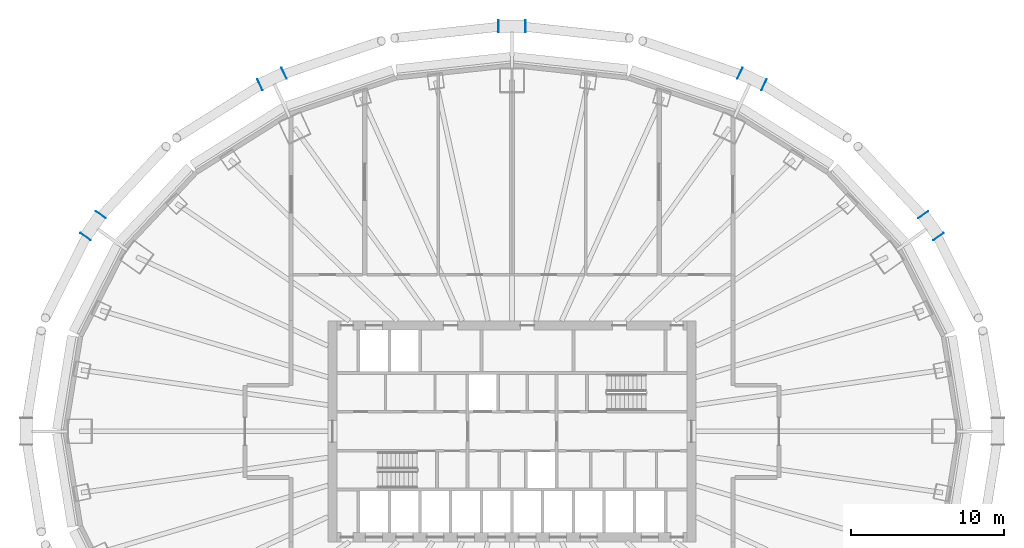
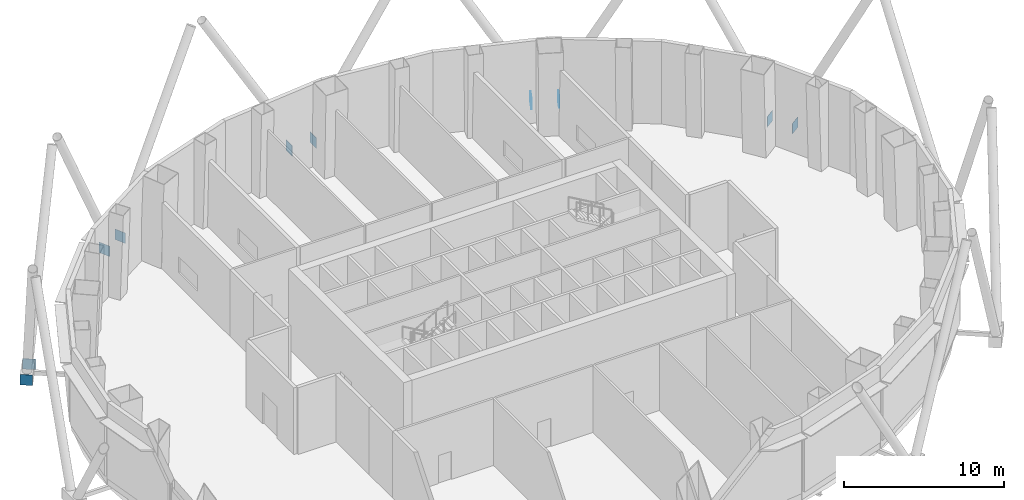
# One storey, part 9 of 13: 10 discrete accessories.
"""IFC4 building model written with IfcOpenShell, lengths in metres."""

from ifc_helpers import new_model, si_unit, direction, frame, origin, origin_2d, place, context, subcontext, project, spatial, rectangle, extrude, material, layer, layer_set, type_object, element, save


model = new_model("IFC4")

# Units and contexts
model_context = context("Model", 3, precision=1e-05, world=origin(), true_north=direction((0.0, 1.0)))
body_context = subcontext(model_context, "Body", "Model", "MODEL_VIEW")
ifc_project = project(units=[si_unit("LENGTHUNIT", "METRE"), si_unit("AREAUNIT", "SQUARE_METRE"), si_unit("VOLUMEUNIT", "CUBIC_METRE"), si_unit("PLANEANGLEUNIT", "RADIAN"), si_unit("MASSUNIT", "GRAM", prefix="KILO")], contexts=[model_context])

# Site, building, storey
site_placement = place(None, origin())
site = spatial("IfcSite", under=ifc_project, at=site_placement, CompositionType="ELEMENT")
building_placement = place(site_placement, origin())
building = spatial("IfcBuilding", under=site, at=building_placement, Name="Siaravel Broadcast Tower", CompositionType="ELEMENT")
storey_placement = place(building_placement, frame((0.0, 0.0, 7.0)))
storey = spatial("IfcBuildingStorey", under=building, at=storey_placement, Name="L01", CompositionType="ELEMENT", Elevation=7.0)

# Discrete accessories
ifc_material = material(Name="Steel S355", Category="steel")
ifc_layer = layer(ifc_material, 0.02001953125)
ifc_layer_set = layer_set([ifc_layer], Name="Steel S355")
discrete_accessory_type = type_object("IfcDiscreteAccessoryType", Name="Steel end plate 20 mm", PredefinedType="USERDEFINED", material=ifc_layer_set)
for number, where, z_axis, x_axis, name in (
    (1, (26.80322265625, 14.1171875, -0.60009765625), (0.0, 0.0, 1.0), (-0.576118513, 0.817366172, 0.0), "End plate R01 station 06A"),
    (2, (27.806396484375, 12.6943359375, -0.60009765625), (0.0, 0.0, 1.0), (-0.576118513, 0.817366172, 0.0), "End plate R01 station 06B"),
    (3, (14.862060546875, 23.34765625, -0.60009765625), (0.0, 0.0, 1.0), (-0.904006456, 0.427518805, 0.0), "End plate R01 station 12A"),
    (4, (16.435791015625, 22.603271484375, -0.60009765625), (0.0, 0.0, 1.0), (-0.904006456, 0.427518805, 0.0), "End plate R01 station 12B"),
    (5, (-0.87060546875, 26.415771484375, -0.60009765625), (0.0, 0.0, 1.0), (-1.0, 0.0, 0.0), "End plate R01 station 18A"),
    (6, (0.87060546875, 26.415771484375, -0.60009765625), (0.0, 0.0, 1.0), (-1.0, 0.0, 0.0), "End plate R01 station 18B"),
    (7, (-16.435791015625, 22.603271484375, -0.60009765625), (0.0, 0.0, 1.0), (-0.904006456, -0.427518805, 0.0), "End plate R01 station 24A"),
    (8, (-14.862060546875, 23.34765625, -0.60009765625), (0.0, 0.0, 1.0), (-0.904006456, -0.427518805, 0.0), "End plate R01 station 24B"),
    (9, (-27.806396484375, 12.6943359375, -0.60009765625), (0.0, 0.0, 1.0), (-0.576118513, -0.817366172, 0.0), "End plate R01 station 30A"),
    (10, (-26.80322265625, 14.1171875, -0.60009765625), (0.0, 0.0, 1.0), (-0.576118513, -0.817366172, 0.0), "End plate R01 station 30B"),
):
    element("IfcDiscreteAccessory", number, at=place(storey_placement, frame(where, z_axis=z_axis, x_axis=x_axis)), inside=storey, type_object=discrete_accessory_type, Name=name, ObjectType="END PLATE", PredefinedType="USERDEFINED", context=body_context, shape_type="SweptSolid", body=[
        extrude(rectangle(XDim=0.02001953125, YDim=0.800048828125, at=origin_2d()), origin(), (0.0, 0.0, 1.0), 0.800048828125),
    ])

save(model, "model.ifc")
